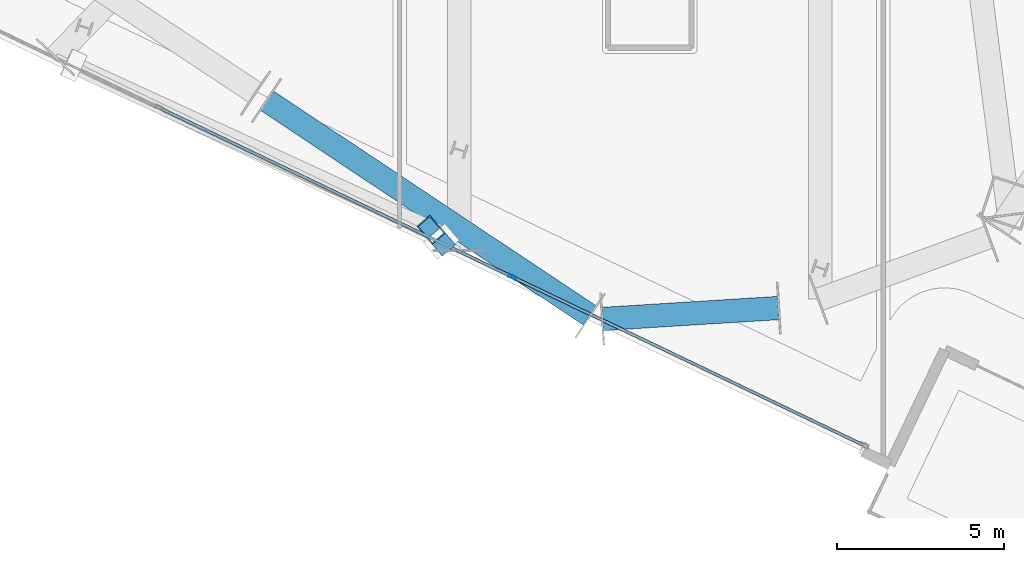
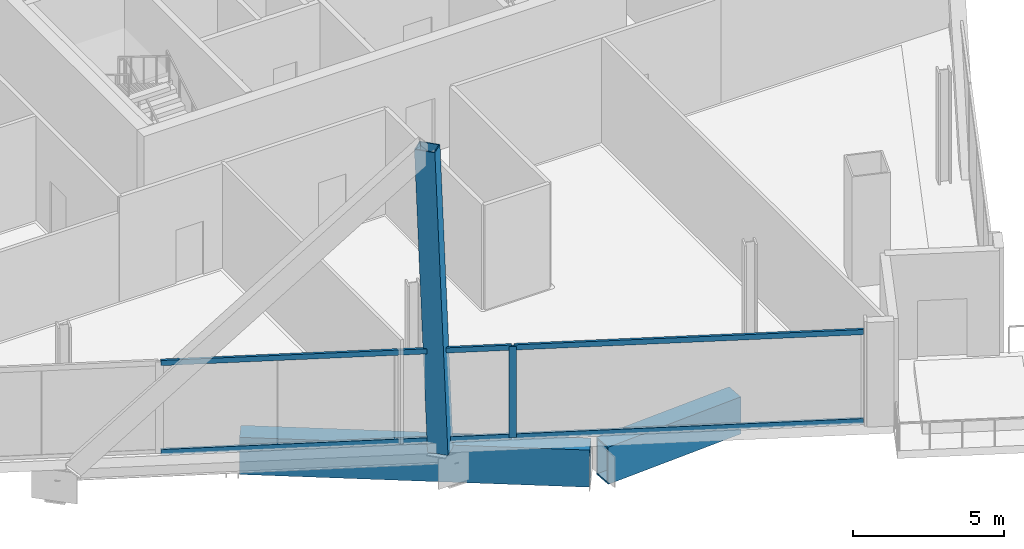
# One storey, part 3 of 24: 6 members, 2 beams, 1 element without a shape of its own.
"""IFC4 building model written with IfcOpenShell, lengths in metres."""

from ifc_helpers import new_model, si_unit, direction, frame, origin, origin_2d, place, context, subcontext, project, spatial, hollow_rectangle, extrude, material, material_profile, profile_set, type_object, element, aggregate, save


model = new_model("IFC4")

# Units and contexts
model_context = context("Model", 3, precision=1e-05, world=origin(), true_north=direction((0.0, 1.0)))
body_context = subcontext(model_context, "Body", "Model", "MODEL_VIEW")
ifc_project = project(units=[si_unit("LENGTHUNIT", "METRE"), si_unit("AREAUNIT", "SQUARE_METRE"), si_unit("VOLUMEUNIT", "CUBIC_METRE"), si_unit("PLANEANGLEUNIT", "RADIAN"), si_unit("MASSUNIT", "GRAM", prefix="KILO")], contexts=[model_context])

# Site, building, storey
site_placement = place(None, origin())
site = spatial("IfcSite", under=ifc_project, at=site_placement, CompositionType="ELEMENT")
building_placement = place(site_placement, origin())
building = spatial("IfcBuilding", under=site, at=building_placement, Name="Haldenkirk Collegiate Tower", CompositionType="ELEMENT")
storey_placement = place(building_placement, frame((0.0, 0.0, 244.199951171875)))
storey = spatial("IfcBuildingStorey", under=building, at=storey_placement, Name="L61", CompositionType="ELEMENT", Elevation=244.199951171875)

# Beams
ifc_material_1 = material(Name="Steel ASTM A572 Grade 50", Category="steel")
ifc_material_profile_1 = material_profile(ifc_material_1, hollow_rectangle(XDim=0.699951171875, YDim=1.5, WallThickness=0.06005859375, at=origin_2d()), Name="BOX1500X700X60")
ifc_profile_set_1 = profile_set([ifc_material_profile_1], Name="Steel ASTM A572 Grade 50")
beam_type = type_object("IfcBeamType", Name="BM-TRANSFER-BOX1500X700X60", PredefinedType="BEAM", material=ifc_profile_set_1)
beam_1_placement = place(storey_placement, frame((24.52392578125, 7.510986328125, -1.14990234375), z_axis=(0.832441238083, -0.554113332395, 0.0), x_axis=(0.554113332395, 0.832441238083, 0.0)))
element("IfcBeam", 1, at=beam_1_placement, inside=storey, type_object=beam_type, Name="L61 sky-lobby perimeter transfer girder 15", PredefinedType="BEAM", context=body_context, shape_type="SweptSolid", body=[
    extrude(hollow_rectangle(XDim=0.699951171875, YDim=1.5, WallThickness=0.06005859375, at=origin_2d()), origin(), (0.0, 0.0, 1.0), 11.618896484375),
])
beam_2_placement = place(storey_placement, frame((34.59326171875, 0.966064453125, -1.14990234375), z_axis=(0.99806607268, 0.062162002577, 0.0), x_axis=(-0.062162002577, 0.99806607268, 0.0)))
element("IfcBeam", 2, at=beam_2_placement, inside=storey, type_object=beam_type, Name="L61 sky-lobby perimeter transfer girder 16", PredefinedType="BEAM", context=body_context, shape_type="SweptSolid", body=[
    extrude(hollow_rectangle(XDim=0.699951171875, YDim=1.5, WallThickness=0.06005859375, at=origin_2d()), origin(), (0.0, 0.0, 1.0), 5.270751953125),
])

# Curtain wall, members
ifc_material_2 = material(Name="Anodised architectural bronze aluminium", Category="aluminium")
curtain_wall_type = type_object("IfcCurtainWallType", Name="CW-SYS4-SKYGARDEN", PredefinedType="USERDEFINED", material=ifc_material_2)
curtain_wall_placement = place(storey_placement, origin())
curtain_wall = element("IfcCurtainWall", 3, at=curtain_wall_placement, inside=storey, type_object=curtain_wall_type, Name="L61 Sky-garden tall bronze curtain wall", ObjectType="UNITISED CURTAIN WALL", PredefinedType="USERDEFINED")
ifc_material_profile_2 = material_profile(ifc_material_2, hollow_rectangle(XDim=0.090087890625, YDim=0.260009765625, WallThickness=0.0048828125, at=origin_2d()), Name="CW-MUL-04")
ifc_profile_set_2 = profile_set([ifc_material_profile_2], Name="Anodised architectural bronze aluminium")
member_type_1 = type_object("IfcMemberType", Name="CW-MUL-04", PredefinedType="MULLION", material=ifc_profile_set_2)
member_1_placement = place(storey_placement, frame((31.88916015625, 2.22216796875, 0.0), z_axis=(0.0, 0.0, 1.0), x_axis=(-0.432081961673, -0.901834340884, 0.0)))
member_1 = element("IfcMember", 4, at=member_1_placement, type_object=member_type_1, Name="CW-04 mullion 2", PredefinedType="MULLION", context=body_context, shape_type="SweptSolid", body=[
    extrude(hollow_rectangle(XDim=0.090087890625, YDim=0.260009765625, WallThickness=0.0048828125, at=origin_2d()), origin(), (0.0, 0.0, 1.0), 3.68798828125),
])
ifc_material_profile_3 = material_profile(ifc_material_2, hollow_rectangle(XDim=0.090087890625, YDim=0.2099609375, WallThickness=0.0048828125, at=origin_2d()), Name="CW-TRN-04")
ifc_profile_set_3 = profile_set([ifc_material_profile_3], Name="Anodised architectural bronze aluminium")
member_type_2 = type_object("IfcMemberType", Name="CW-TRN-04", PredefinedType="USERDEFINED", material=ifc_profile_set_3)
member_2_placement = place(storey_placement, frame((42.389404296875, -2.808837890625, 0.045166015625), z_axis=(-0.901831921263, 0.432087011828, 0.0), x_axis=(-0.432087011828, -0.901831921263, 0.0)))
member_2 = element("IfcMember", 5, at=member_2_placement, type_object=member_type_2, Name="CW-04 transom 1.1", ObjectType="TRANSOM", PredefinedType="USERDEFINED", context=body_context, shape_type="SweptSolid", body=[
    extrude(hollow_rectangle(XDim=0.090087890625, YDim=0.2099609375, WallThickness=0.0048828125, at=origin_2d()), origin(), (0.0, 0.0, 1.0), 11.598388671875),
])
member_3_placement = place(storey_placement, frame((42.389404296875, -2.808837890625, 3.64306640625), z_axis=(-0.901831921263, 0.432087011828, 0.0), x_axis=(-0.432087011828, -0.901831921263, 0.0)))
member_3 = element("IfcMember", 6, at=member_3_placement, type_object=member_type_2, Name="CW-04 transom 1.2", ObjectType="TRANSOM", PredefinedType="USERDEFINED", context=body_context, shape_type="SweptSolid", body=[
    extrude(hollow_rectangle(XDim=0.090087890625, YDim=0.2099609375, WallThickness=0.0048828125, at=origin_2d()), origin(), (0.0, 0.0, 1.0), 11.598388671875),
])
member_4_placement = place(storey_placement, frame((31.848388671875, 2.241455078125, 0.045166015625), z_axis=(-0.901828114969, 0.432094956059, 0.0), x_axis=(-0.432094956059, -0.901828114969, 0.0)))
member_4 = element("IfcMember", 7, at=member_4_placement, type_object=member_type_2, Name="CW-04 transom 2.1", ObjectType="TRANSOM", PredefinedType="USERDEFINED", context=body_context, shape_type="SweptSolid", body=[
    extrude(hollow_rectangle(XDim=0.090087890625, YDim=0.2099609375, WallThickness=0.0048828125, at=origin_2d()), origin(), (0.0, 0.0, 1.0), 11.643310546875),
])
member_5_placement = place(storey_placement, frame((31.848388671875, 2.241455078125, 3.64306640625), z_axis=(-0.901828114969, 0.432094956059, 0.0), x_axis=(-0.432094956059, -0.901828114969, 0.0)))
member_5 = element("IfcMember", 8, at=member_5_placement, type_object=member_type_2, Name="CW-04 transom 2.2", ObjectType="TRANSOM", PredefinedType="USERDEFINED", context=body_context, shape_type="SweptSolid", body=[
    extrude(hollow_rectangle(XDim=0.090087890625, YDim=0.2099609375, WallThickness=0.0048828125, at=origin_2d()), origin(), (0.0, 0.0, 1.0), 11.643310546875),
])
aggregate(curtain_wall, [member_1, member_2, member_3, member_4, member_5])

# Member
ifc_material_profile_4 = material_profile(ifc_material_1, hollow_rectangle(XDim=0.52001953125, YDim=0.719970703125, WallThickness=0.035888671875, at=origin_2d()), Name="BOX720X520X36")
ifc_profile_set_4 = profile_set([ifc_material_profile_4], Name="Steel ASTM A572 Grade 50")
member_type_3 = type_object("IfcMemberType", Name="MBR-MEGABRACE-BOX720X520X36", PredefinedType="BRACE", material=ifc_profile_set_4)
member_6_placement = place(storey_placement, frame((29.741943359375, 3.295166015625, -0.409912109375), z_axis=(-0.024758825739, 0.028640591269, 0.999283101568), x_axis=(-0.756512340339, -0.653979417807, 0.0)))
element("IfcMember", 9, at=member_6_placement, inside=storey, type_object=member_type_3, Name="Perimeter Mega Brace Z5 L61-L63 WR", PredefinedType="BRACE", context=body_context, shape_type="SweptSolid", body=[
    extrude(hollow_rectangle(XDim=0.52001953125, YDim=0.719970703125, WallThickness=0.035888671875, at=origin_2d()), origin(), (0.0, 0.0, 1.0), 12.138671875),
])

save(model, "model.ifc")
